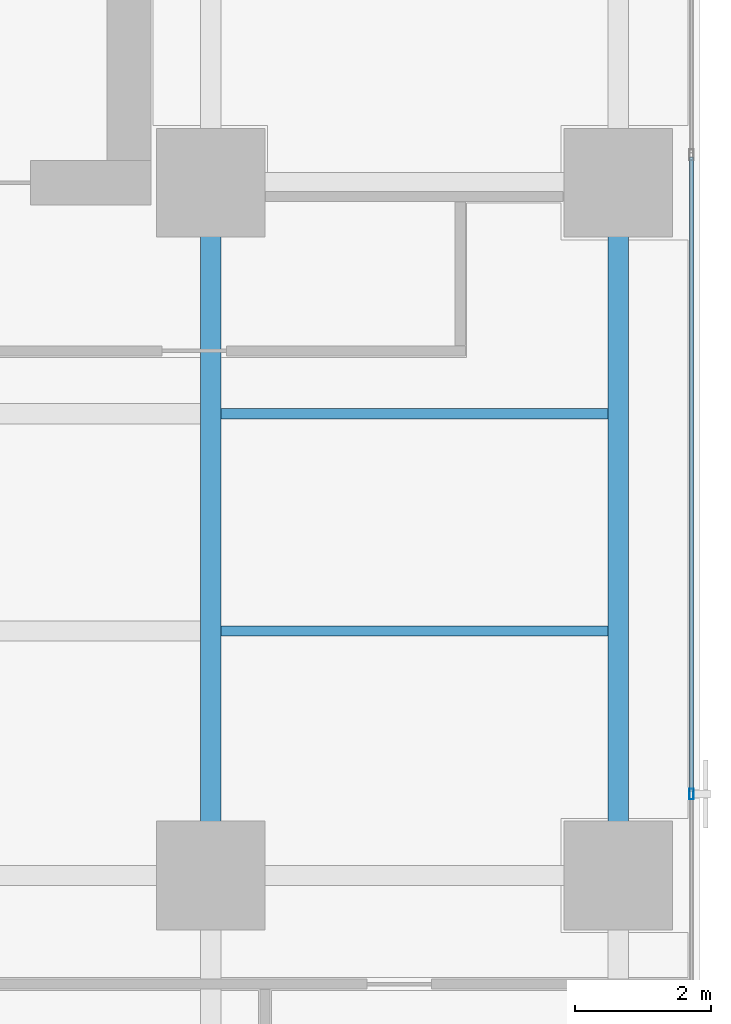
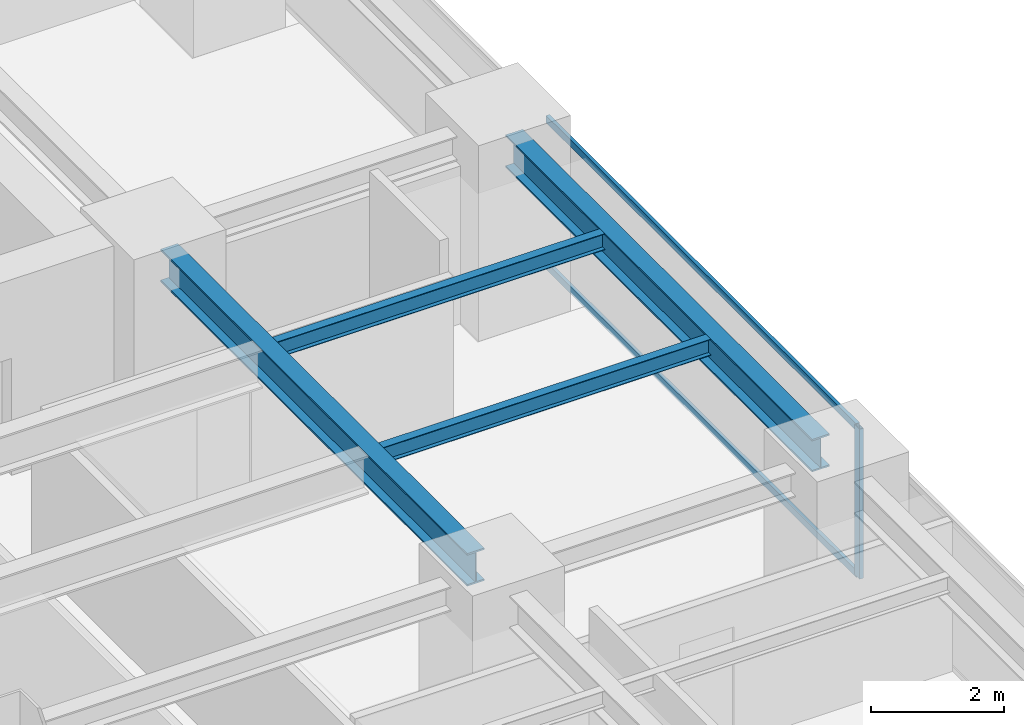
# One storey, part 13 of 28: 4 beams, 3 members, 1 element without a shape of its own.
"""IFC4 building model written with IfcOpenShell, lengths in metres."""

from ifc_helpers import new_model, si_unit, direction, frame, origin, origin_2d, place, context, subcontext, project, spatial, hollow_rectangle, i_section, extrude, source, transform, mapped, material, layer, layer_set, material_profile, profile_set, type_object, element, aggregate, save


model = new_model("IFC4")

# Units and contexts
model_context = context("Model", 3, precision=1e-05, world=origin(), true_north=direction((0.0, 1.0)))
body_context = subcontext(model_context, "Body", "Model", "MODEL_VIEW")
ifc_project = project(units=[si_unit("LENGTHUNIT", "METRE"), si_unit("AREAUNIT", "SQUARE_METRE"), si_unit("VOLUMEUNIT", "CUBIC_METRE"), si_unit("PLANEANGLEUNIT", "RADIAN"), si_unit("MASSUNIT", "GRAM", prefix="KILO")], contexts=[model_context])

# Site, building, storey
site_placement = place(None, origin())
site = spatial("IfcSite", under=ifc_project, at=site_placement, CompositionType="ELEMENT")
building_placement = place(site_placement, origin())
building = spatial("IfcBuilding", under=site, at=building_placement, Name="Sumidabori Civic Tower", CompositionType="ELEMENT")
storey_placement = place(building_placement, frame((0.0, 0.0, 149.60009765625)))
storey = spatial("IfcBuildingStorey", under=building, at=storey_placement, Name="L38", CompositionType="ELEMENT", Elevation=149.60009765625)

# Beams
ifc_material_1 = material(Name="Steel SN490", Category="steel")
ifc_material_profile_1 = material_profile(ifc_material_1, i_section(OverallWidth=0.300048828125, OverallDepth=0.60009765625, WebThickness=0.015380859375, FlangeThickness=0.030029296875, at=origin_2d()), Name="HE 600 B")
ifc_profile_set_1 = profile_set([ifc_material_profile_1], Name="Steel SN490")
beam_type_1 = type_object("IfcBeamType", Name="BM-GIRD-600", PredefinedType="BEAM", material=ifc_profile_set_1)
shared_shape_1 = source(origin(), body_context, "Body", "SweptSolid", [
    extrude(i_section(OverallWidth=0.300048828125, OverallDepth=0.60009765625, WebThickness=0.015380859375, FlangeThickness=0.030029296875, at=origin_2d()), origin(), (0.0, 0.0, 1.0), 9.239990234375),
])
for number, where, z_axis, x_axis, name in (
    (1, (16.800048828125, 0.47998046875, 3.079833984375), (0.0, 1.0, 0.0), (-1.0, 0.0, 0.0), "Primary Girder L38 GY-34"),
    (2, (22.800048828125, 0.47998046875, 3.079833984375), (0.0, 1.0, 0.0), (-1.0, 0.0, 0.0), "Primary Girder L38 GY-37"),
):
    element("IfcBeam", number, at=place(storey_placement, frame(where, z_axis=z_axis, x_axis=x_axis)), inside=storey, type_object=beam_type_1, Name=name, PredefinedType="BEAM", context=body_context, shape_type="MappedRepresentation", body=[
        mapped(shared_shape_1, transform((0.0, 0.0, 0.0), x_axis=(1.0, 0.0, 0.0), y_axis=(0.0, 1.0, 0.0), z_axis=(0.0, 0.0, 1.0), scale=1.0)),
    ])
ifc_material_profile_2 = material_profile(ifc_material_1, i_section(OverallWidth=0.14990234375, OverallDepth=0.300048828125, WebThickness=0.007080078125, FlangeThickness=0.0107421875, at=origin_2d()), Name="IPE 300")
ifc_profile_set_2 = profile_set([ifc_material_profile_2], Name="Steel SN490")
beam_type_2 = type_object("IfcBeamType", Name="BM-JST-300", PredefinedType="JOIST", material=ifc_profile_set_2)
shared_shape_2 = source(origin(), body_context, "Body", "SweptSolid", [
    extrude(i_section(OverallWidth=0.14990234375, OverallDepth=0.300048828125, WebThickness=0.007080078125, FlangeThickness=0.0107421875, at=origin_2d()), origin(), (0.0, 0.0, 1.0), 5.699951171875),
])
for number, where, z_axis, x_axis, name in (
    (3, (16.949951171875, 3.60009765625, 3.22998046875), (1.0, 0.0, 0.0), (0.0, 1.0, 0.0), "Outer Bay Floor Joist L38 JSTO-44"),
    (4, (16.949951171875, 6.800048828125, 3.22998046875), (1.0, 0.0, 0.0), (0.0, 1.0, 0.0), "Outer Bay Floor Joist L38 JSTO-46"),
):
    element("IfcBeam", number, at=place(storey_placement, frame(where, z_axis=z_axis, x_axis=x_axis)), inside=storey, type_object=beam_type_2, Name=name, PredefinedType="JOIST", context=body_context, shape_type="MappedRepresentation", body=[
        mapped(shared_shape_2, transform((0.0, 0.0, 0.0), x_axis=(1.0, 0.0, 0.0), y_axis=(0.0, 1.0, 0.0), z_axis=(0.0, 0.0, 1.0), scale=1.0)),
    ])

# Curtain wall, members
ifc_material_2 = material(Name="Anodised Bronze Aluminium AW-6063-T6", Category="aluminium")
ifc_layer = layer(ifc_material_2, 0.179931640625, Name="Anodised Bronze Aluminium AW-6063-T6")
ifc_layer_set = layer_set([ifc_layer], Name="Anodised Bronze Aluminium AW-6063-T6")
curtain_wall_type = type_object("IfcCurtainWallType", Name="CW-SYS-3", PredefinedType="NOTDEFINED", material=ifc_layer_set)
curtain_wall_placement = place(storey_placement, origin())
curtain_wall = element("IfcCurtainWall", 5, at=curtain_wall_placement, inside=storey, type_object=curtain_wall_type, Name="Curtain Wall CW:L38:R04", PredefinedType="NOTDEFINED")
ifc_material_profile_3 = material_profile(ifc_material_2, hollow_rectangle(XDim=0.06494140625, YDim=0.159912109375, WallThickness=0.0048828125, at=origin_2d()), Name="ALU MULLION 160x65")
ifc_profile_set_3 = profile_set([ifc_material_profile_3], Name="Anodised Bronze Aluminium AW-6063-T6")
member_type_1 = type_object("IfcMemberType", Name="CW-MUL-160", PredefinedType="MULLION", material=ifc_profile_set_3)
shared_shape_3 = source(origin(), body_context, "Body", "SweptSolid", [
    extrude(hollow_rectangle(XDim=0.06494140625, YDim=0.159912109375, WallThickness=0.0048828125, at=origin_2d()), origin(), (0.0, 0.0, 1.0), 2.760009765625),
])
member_1_placement = place(storey_placement, frame((23.8798828125, 1.199951171875, 0.0), z_axis=(0.0, 0.0, 1.0), x_axis=(-1.0, 0.0, 0.0)))
member_1 = element("IfcMember", 6, at=member_1_placement, type_object=member_type_1, Name="CW-3 mullion 3", PredefinedType="MULLION", context=body_context, shape_type="MappedRepresentation", body=[
    mapped(shared_shape_3, transform((0.0, 0.0, 0.0), x_axis=(1.0, 0.0, 0.0), y_axis=(0.0, 1.0, 0.0), z_axis=(0.0, 0.0, 1.0), scale=1.0)),
])
ifc_material_profile_4 = material_profile(ifc_material_2, hollow_rectangle(XDim=0.06005859375, YDim=0.1298828125, WallThickness=0.0048828125, at=origin_2d()), Name="ALU TRANSOM 130x60")
ifc_profile_set_4 = profile_set([ifc_material_profile_4], Name="Anodised Bronze Aluminium AW-6063-T6")
member_type_2 = type_object("IfcMemberType", Name="CW-TRN-130", PredefinedType="USERDEFINED", material=ifc_profile_set_4)
shared_shape_4 = source(origin(), body_context, "Body", "SweptSolid", [
    extrude(hollow_rectangle(XDim=0.06005859375, YDim=0.1298828125, WallThickness=0.0048828125, at=origin_2d()), origin(), (0.0, 0.0, 1.0), 9.344970703125),
])
member_2_placement = place(storey_placement, frame((23.8798828125, 1.232421875, 0.02978515625), z_axis=(0.0, 1.0, 0.0), x_axis=(-1.0, 0.0, 0.0)))
member_2 = element("IfcMember", 7, at=member_2_placement, type_object=member_type_2, Name="CW-3 transom 3.1", ObjectType="TRANSOM", PredefinedType="USERDEFINED", context=body_context, shape_type="MappedRepresentation", body=[
    mapped(shared_shape_4, transform((0.0, 0.0, 0.0), x_axis=(1.0, 0.0, 0.0), y_axis=(0.0, 1.0, 0.0), z_axis=(0.0, 0.0, 1.0), scale=1.0)),
])
member_3_placement = place(storey_placement, frame((23.8798828125, 1.232421875, 2.72998046875), z_axis=(0.0, 1.0, 0.0), x_axis=(-1.0, 0.0, 0.0)))
member_3 = element("IfcMember", 8, at=member_3_placement, type_object=member_type_2, Name="CW-3 transom 3.2", ObjectType="TRANSOM", PredefinedType="USERDEFINED", context=body_context, shape_type="MappedRepresentation", body=[
    mapped(shared_shape_4, transform((0.0, 0.0, 0.0), x_axis=(1.0, 0.0, 0.0), y_axis=(0.0, 1.0, 0.0), z_axis=(0.0, 0.0, 1.0), scale=1.0)),
])
aggregate(curtain_wall, [member_1, member_2, member_3])

save(model, "model.ifc")
